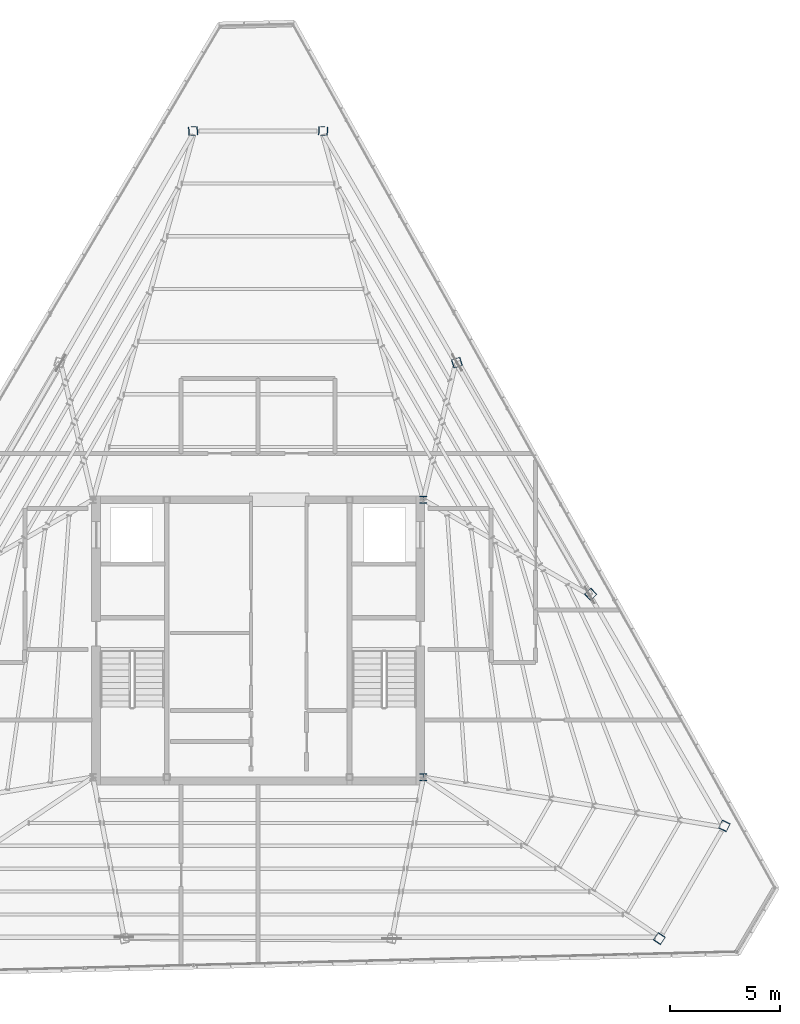
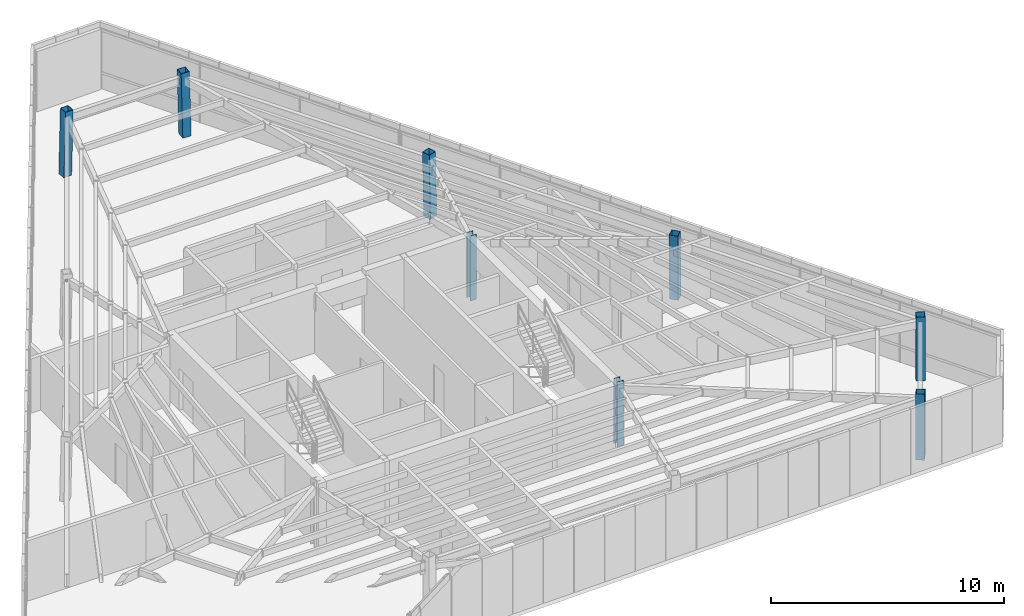
# One storey, part 2 of 47: 8 columns.
"""IFC4 building model written with IfcOpenShell, lengths in metres."""

import ifcopenshell
import ifcopenshell.guid

model = None  # the IFC model being written
_history = None  # IfcOwnerHistory: only IFC2X3 demands one
_inside = {}  # id of a spatial element -> (the spatial element, [elements in it])
_under = {}  # id of a project, library or spatial element -> (it, [spatial elements below it])
_declared = {}  # id of a project -> (the project, [libraries it declares])
_typed = {}  # id of a type object -> (the type object, [elements of that type])
_made_of = {}  # id of a material, layer set ... -> (it, [elements and type objects made of it])


def new_model(schema):
    """Start an empty IFC model of exactly this schema.

    Asked for "IFC4X3", IfcOpenShell would pick the latest addendum, in which some entities
    have other attributes; the version numbers below select the first issue.
    IFC2X3 requires an IfcOwnerHistory on every rooted entity: one is made here for all.
    """
    global model, _history
    if schema == "IFC4X3":
        model = ifcopenshell.file(schema_version=(4, 3, 0, 0))
    else:
        model = ifcopenshell.file(schema=schema)
    _inside.clear()
    _under.clear()
    _declared.clear()
    _typed.clear()
    _made_of.clear()
    _history = None
    if model.schema == "IFC2X3":
        org = make("IfcOrganization", Name="unknown")
        user = make(
            "IfcPersonAndOrganization",
            ThePerson=make("IfcPerson", FamilyName="unknown"),
            TheOrganization=org,
        )
        app = make(
            "IfcApplication",
            ApplicationDeveloper=org,
            Version="unknown",
            ApplicationFullName="unknown",
            ApplicationIdentifier="unknown",
        )
        _history = make(
            "IfcOwnerHistory",
            OwningUser=user,
            OwningApplication=app,
            ChangeAction="ADDED",
            CreationDate=0,
        )
    return model


def make(cls, **values):
    """One entity of the class cls with the attributes given. An attribute that is None is left unset."""
    return model.create_entity(
        cls, **{name: value for name, value in values.items() if value is not None}
    )


def rooted(cls, **values):
    """An entity with a GlobalId (a new one), such as an element, a storey or a relation."""
    return make(cls, GlobalId=ifcopenshell.guid.new(), OwnerHistory=_history, **values)


def si_unit(unit_type, name, prefix=None):
    """IfcSIUnit, for example si_unit("LENGTHUNIT", "METRE", prefix="MILLI")."""
    return make("IfcSIUnit", UnitType=unit_type, Prefix=prefix, Name=name)


def assignment(units):
    """IfcUnitAssignment: the units of a project."""
    return None if units is None else make("IfcUnitAssignment", Units=units)


def point(xyz):
    """IfcCartesianPoint."""
    return None if xyz is None else make("IfcCartesianPoint", Coordinates=xyz)


def direction(xyz):
    """IfcDirection."""
    return None if xyz is None else make("IfcDirection", DirectionRatios=xyz)


def frame(location, z_axis=None, x_axis=None):
    """IfcAxis2Placement3D, a coordinate frame: its origin and axes. An axis left out is left unset."""
    return make(
        "IfcAxis2Placement3D",
        Location=point(location),
        Axis=direction(z_axis),
        RefDirection=direction(x_axis),
    )


def frame_2d(location, x_axis=None):
    """IfcAxis2Placement2D, a coordinate frame in the plane: its origin and x axis."""
    return make(
        "IfcAxis2Placement2D", Location=point(location), RefDirection=direction(x_axis)
    )


def origin():
    """The frame at (0, 0, 0) with its axes left unset."""
    return frame((0.0, 0.0, 0.0))


def origin_2d():
    """The frame at (0, 0) in the plane with its x axis left unset."""
    return frame_2d((0.0, 0.0))


def place(relative_to, where):
    """IfcLocalPlacement: puts the frame where relative to a parent placement (None: the world)."""
    return make(
        "IfcLocalPlacement", PlacementRelTo=relative_to, RelativePlacement=where
    )


def context(
    kind, dimensions, precision=None, world=None, true_north=None, identifier=None
):
    """IfcGeometricRepresentationContext, for example the 3D "Model" context."""
    return make(
        "IfcGeometricRepresentationContext",
        ContextIdentifier=identifier,
        ContextType=kind,
        CoordinateSpaceDimension=dimensions,
        Precision=precision,
        WorldCoordinateSystem=world,
        TrueNorth=true_north,
    )


def subcontext(parent, identifier, kind, view, scale=None):
    """IfcGeometricRepresentationSubContext, for example "Body" below "Model"."""
    return make(
        "IfcGeometricRepresentationSubContext",
        ContextIdentifier=identifier,
        ContextType=kind,
        ParentContext=parent,
        TargetScale=scale,
        TargetView=view,
    )


def project(units=None, contexts=None):
    """IfcProject with its units and contexts."""
    return rooted(
        "IfcProject",
        Name="project",
        RepresentationContexts=contexts,
        UnitsInContext=assignment(units),
    )


def spatial(cls, under=None, at=None, **own):
    """A site, building, storey or space (cls), placed at a placement, below another one or the project."""
    s = rooted(cls, ObjectPlacement=at, **own)
    if under is not None:
        _under.setdefault(under.id(), (under, []))[1].append(s)
    return s


def profile(cls, at=None, kind="AREA", **sizes):
    """A parametric profile (cls). Its sizes go by their IFC names, for example OverallWidth=200.0."""
    return make(cls, ProfileType=kind, Position=at, **sizes)


def hollow_rectangle(**sizes):
    """IfcRectangleHollowProfileDef."""
    return profile("IfcRectangleHollowProfileDef", **sizes)


def i_section(**sizes):
    """IfcIShapeProfileDef."""
    return profile("IfcIShapeProfileDef", **sizes)


def extrude(swept, where, along, depth):
    """IfcExtrudedAreaSolid: the profile swept, set in the frame where, extruded along a direction by depth."""
    return make(
        "IfcExtrudedAreaSolid",
        SweptArea=swept,
        Position=where,
        ExtrudedDirection=direction(along),
        Depth=depth,
    )


def shape(context_of_items, identifier, shape_type, items):
    """IfcShapeRepresentation: the items that make up one representation, for example the "Body"."""
    return make(
        "IfcShapeRepresentation",
        ContextOfItems=context_of_items,
        RepresentationIdentifier=identifier,
        RepresentationType=shape_type,
        Items=items,
    )


def source(mapping_origin, context_of_items, identifier, shape_type, items):
    """IfcRepresentationMap: a shape defined once, which mapped items show again and again."""
    return make(
        "IfcRepresentationMap",
        MappingOrigin=mapping_origin,
        MappedRepresentation=shape(context_of_items, identifier, shape_type, items),
    )


def transform(
    local_origin,
    x_axis=None,
    y_axis=None,
    z_axis=None,
    scale=None,
    scale2=None,
    scale3=None,
    uniform=True,
):
    """IfcCartesianTransformationOperator3D, or its non-uniform kind. x_axis, y_axis, z_axis: its Axis1, 2, 3."""
    if uniform:
        return make(
            "IfcCartesianTransformationOperator3D",
            Axis1=direction(x_axis),
            Axis2=direction(y_axis),
            LocalOrigin=point(local_origin),
            Scale=scale,
            Axis3=direction(z_axis),
        )
    return make(
        "IfcCartesianTransformationOperator3DnonUniform",
        Axis1=direction(x_axis),
        Axis2=direction(y_axis),
        LocalOrigin=point(local_origin),
        Scale=scale,
        Axis3=direction(z_axis),
        Scale2=scale2,
        Scale3=scale3,
    )


def mapped(mapping_source, mapping_target):
    """IfcMappedItem: shows the shape of a source again, moved by a transform."""
    return make(
        "IfcMappedItem", MappingSource=mapping_source, MappingTarget=mapping_target
    )


def material(Name=None, Category=None):
    """IfcMaterial."""
    return make("IfcMaterial", Name=Name, Category=Category)


def material_profile(
    of_material, cross_section, Name=None, Category=None, Priority=None
):
    """IfcMaterialProfile: a cross section and its material."""
    return make(
        "IfcMaterialProfile",
        Name=Name,
        Material=of_material,
        Profile=cross_section,
        Priority=Priority,
        Category=Category,
    )


def profile_set(profiles, Name=None, composite=None):
    """IfcMaterialProfileSet."""
    return make(
        "IfcMaterialProfileSet",
        Name=Name,
        MaterialProfiles=profiles,
        CompositeProfile=composite,
    )


def made_of(thing, what):
    """Note that an element or type object is made of a material, layer set ...; save() writes the relation."""
    if what is not None:
        _made_of.setdefault(what.id(), (what, []))[1].append(thing)
    return thing


def type_object(cls, material=None, **own):
    """A type object (cls), such as IfcWallType, which elements share."""
    return made_of(rooted(cls, **own), material)


def type_shapes(of_type, sources):
    """Give a type object the sources (RepresentationMaps) that its elements show as mapped items."""
    of_type.RepresentationMaps = sources


def element(
    cls,
    number,
    at=None,
    inside=None,
    cuts=None,
    type_object=None,
    material=None,
    context=None,
    identifier="Body",
    shape_type=None,
    held_by="IfcProductDefinitionShape",
    body=None,
    shapes=None,
    **own,
):
    """One element of the class cls, such as IfcWall. Its Tag is "e" and its number.

    at: its placement. inside: the storey or other place that contains it. cuts: it is an
    opening in that element (IfcRelVoidsElement). A single representation is given by context,
    identifier, shape_type and body (its items); several are given by shapes. held_by: the class
    of the entity that holds the representations. save() writes the other relations.
    """
    e = rooted(cls, Tag="e%d" % number, ObjectPlacement=at, **own)
    if body is not None:
        shapes = [shape(context, identifier, shape_type, body)]
    if shapes is not None:
        e.Representation = make(held_by, Representations=shapes)
    if inside is not None:
        _inside.setdefault(inside.id(), (inside, []))[1].append(e)
    if cuts is not None:
        rooted(
            "IfcRelVoidsElement", RelatingBuildingElement=cuts, RelatedOpeningElement=e
        )
    if type_object is not None:
        _typed.setdefault(type_object.id(), (type_object, []))[1].append(e)
    return made_of(e, material)


def aggregate(whole, parts):
    """IfcRelAggregates: a whole, such as a stair, and the parts it consists of."""
    return rooted("IfcRelAggregates", RelatingObject=whole, RelatedObjects=parts)


def save(model, path):
    """Write the relations noted so far, then the file.

    IfcRelAggregates (storeys below a building ...), IfcRelContainedInSpatialStructure (elements
    in a storey), IfcRelDefinesByType, IfcRelAssociatesMaterial and IfcRelDeclares: one each for
    every whole, place, type object, material and project.
    """
    for whole, parts in _under.values():
        aggregate(whole, parts)
    for where, things in _inside.values():
        rooted(
            "IfcRelContainedInSpatialStructure",
            RelatedElements=things,
            RelatingStructure=where,
        )
    for kind, things in _typed.values():
        rooted("IfcRelDefinesByType", RelatedObjects=things, RelatingType=kind)
    for what, things in _made_of.values():
        rooted("IfcRelAssociatesMaterial", RelatedObjects=things, RelatingMaterial=what)
    for by, libraries in _declared.values():
        rooted("IfcRelDeclares", RelatingContext=by, RelatedDefinitions=libraries)
    model.write(path)


model = new_model("IFC4")

# Units and contexts
model_context = context("Model", 3, precision=1e-05, world=origin(), true_north=direction((0.0, 1.0)))
body_context = subcontext(model_context, "Body", "Model", "MODEL_VIEW")
ifc_project = project(units=[si_unit("LENGTHUNIT", "METRE"), si_unit("AREAUNIT", "SQUARE_METRE"), si_unit("VOLUMEUNIT", "CUBIC_METRE"), si_unit("PLANEANGLEUNIT", "RADIAN"), si_unit("MASSUNIT", "GRAM", prefix="KILO")], contexts=[model_context])

# Site, building, storey
site_placement = place(None, origin())
site = spatial("IfcSite", under=ifc_project, at=site_placement, CompositionType="ELEMENT")
building_placement = place(site_placement, origin())
building = spatial("IfcBuilding", under=site, at=building_placement, Name="Caelisora Broadcast Tower", CompositionType="ELEMENT")
storey_placement = place(building_placement, frame((0.0, 0.0, 293.199951171875)))
storey = spatial("IfcBuildingStorey", under=building, at=storey_placement, Name="L77", CompositionType="ELEMENT", Elevation=293.199951171875)

# Columns
ifc_material_1 = material(Name="Steel Grade 350 (AS/NZS 1163 C350L0)", Category="steel")
ifc_material_profile_1 = material_profile(ifc_material_1, hollow_rectangle(XDim=0.39990234375, YDim=0.39990234375, WallThickness=0.01611328125, at=origin_2d()), Name="Steel Grade 350 (AS/NZS 1163 C350L0)")
ifc_profile_set_1 = profile_set([ifc_material_profile_1], Name="Steel Grade 350 (AS/NZS 1163 C350L0)")
column_type_1 = type_object("IfcColumnType", Name="MC08", PredefinedType="COLUMN", material=ifc_profile_set_1)
shared_shape_1 = source(origin(), body_context, "Body", "SweptSolid", [
    extrude(hollow_rectangle(XDim=0.39990234375, YDim=0.39990234375, WallThickness=0.01611328125, at=origin_2d()), origin(), (0.0, 0.0, 1.0), 3.40087890625),
])
for number, where, z_axis, x_axis, name in (
    (1, (53.106689453125, 25.712890625, 0.0), (-0.014931934338, -0.013783324004, 0.999793507339), (0.678280102733, -0.734803444627, 0.0), "L77 column MC08"),
    (2, (47.036865234375, 36.226318359375, 0.0), (-0.019454569029, -0.006030198518, 0.999792556709), (0.296066615098, -0.955167293946, 0.0), "L77 column MC08"),
):
    element("IfcColumn", number, at=place(storey_placement, frame(where, z_axis=z_axis, x_axis=x_axis)), inside=storey, type_object=column_type_1, Name=name, PredefinedType="COLUMN", context=body_context, shape_type="MappedRepresentation", body=[
        mapped(shared_shape_1, transform((0.0, 0.0, 0.0), scale=1.0)),
    ])
ifc_material_2 = material(Name="Steel Grade 350 (AS/NZS 3679.1)", Category="steel")
ifc_material_profile_2 = material_profile(ifc_material_2, i_section(OverallWidth=0.31103515625, OverallDepth=0.3271484375, WebThickness=0.015625, FlangeThickness=0.02490234375, at=origin_2d()), Name="Steel Grade 350 (AS/NZS 3679.1)")
ifc_profile_set_2 = profile_set([ifc_material_profile_2], Name="Steel Grade 350 (AS/NZS 3679.1)")
column_type_2 = type_object("IfcColumnType", Name="CC03", PredefinedType="COLUMN", material=ifc_profile_set_2)
shared_shape_2 = source(origin(), body_context, "Body", "SweptSolid", [
    extrude(i_section(OverallWidth=0.31103515625, OverallDepth=0.3271484375, WebThickness=0.015625, FlangeThickness=0.02490234375, at=origin_2d()), origin(), (0.0, 0.0, 1.0), 3.400146484375),
])
type_shapes(column_type_2, [shared_shape_2])
for number, where, z_axis, x_axis, name in (
    (3, (45.5, 17.39990234375, 0.0), (0.0, 0.0, 1.0), (1.0, 0.0, 0.0), "L77 column CC03"),
    (4, (45.5, 30.0, 0.0), (0.0, 0.0, 1.0), (1.0, 0.0, 0.0), "L77 column CC03"),
):
    element("IfcColumn", number, at=place(storey_placement, frame(where, z_axis=z_axis, x_axis=x_axis)), inside=storey, type_object=column_type_2, Name=name, PredefinedType="COLUMN", context=body_context, shape_type="MappedRepresentation", body=[
        mapped(shared_shape_2, transform((0.0, 0.0, 0.0), scale=1.0)),
    ])
shared_shape_3 = source(origin(), body_context, "Body", "SweptSolid", [
    extrude(hollow_rectangle(XDim=0.39990234375, YDim=0.39990234375, WallThickness=0.01611328125, at=origin_2d()), origin(), (0.0, 0.0, 1.0), 3.401123046875),
])
type_shapes(column_type_1, [shared_shape_1, shared_shape_3])
for number, where, z_axis, x_axis, name in (
    (5, (40.966796875, 46.739501953125, 0.0), (-0.023831780962, 0.001722779347, 0.999714498368), (-0.072101012175, -0.997397335089, 0.0), "L77 column MC08"),
    (6, (35.033203125, 46.739501953125, 0.0), (0.023831780962, 0.001722779347, 0.999714498368), (-0.072101012175, 0.997397335089, 0.0), "L77 column MC08"),
    (7, (56.20947265625, 10.060791015625, 0.0), (0.013495079849, 0.019811925736, 0.999712643922), (-0.826480672062, 0.562965095462, 0.0), "L77 column MC08"),
    (8, (59.176513671875, 15.19970703125, 0.0), (-0.010408452519, -0.02153472935, 0.999713918853), (0.900348952842, -0.43516866054, 0.0), "L77 column MC08"),
):
    element("IfcColumn", number, at=place(storey_placement, frame(where, z_axis=z_axis, x_axis=x_axis)), inside=storey, type_object=column_type_1, Name=name, PredefinedType="COLUMN", context=body_context, shape_type="MappedRepresentation", body=[
        mapped(shared_shape_3, transform((0.0, 0.0, 0.0), scale=1.0)),
    ])

save(model, "model.ifc")
